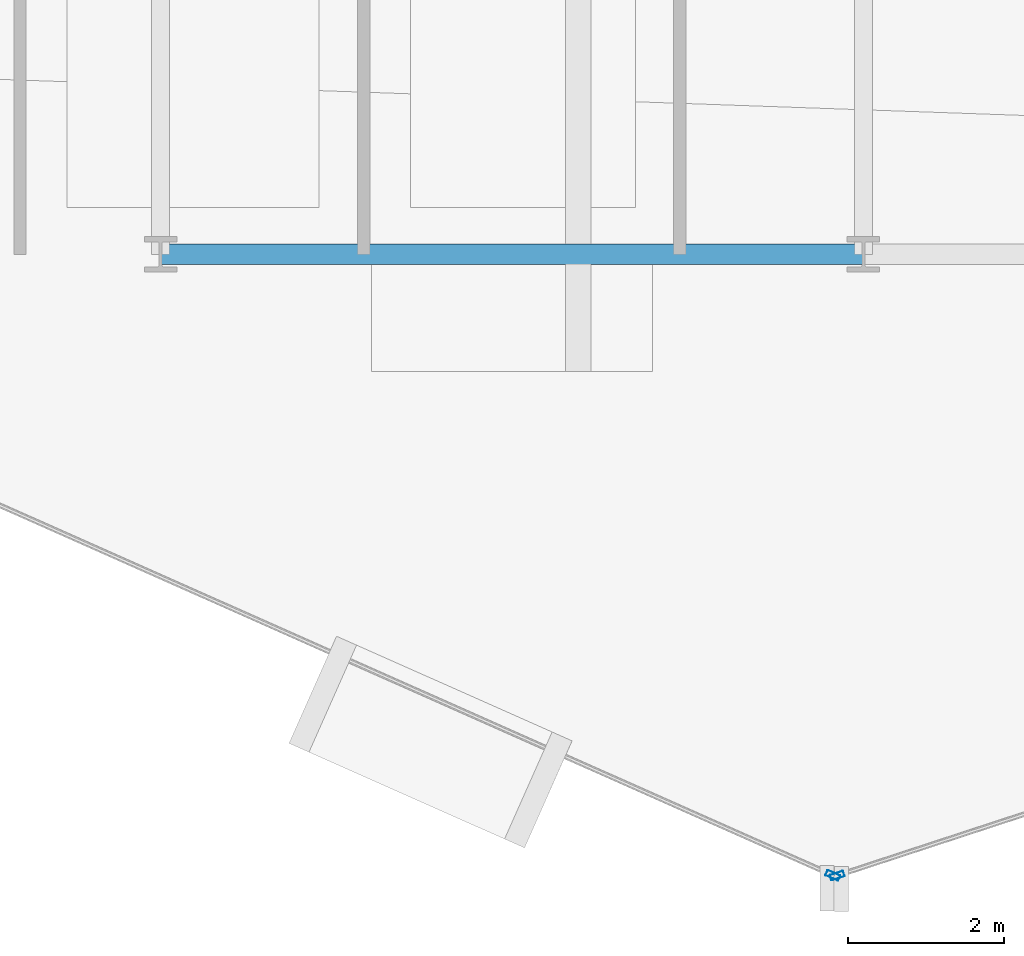
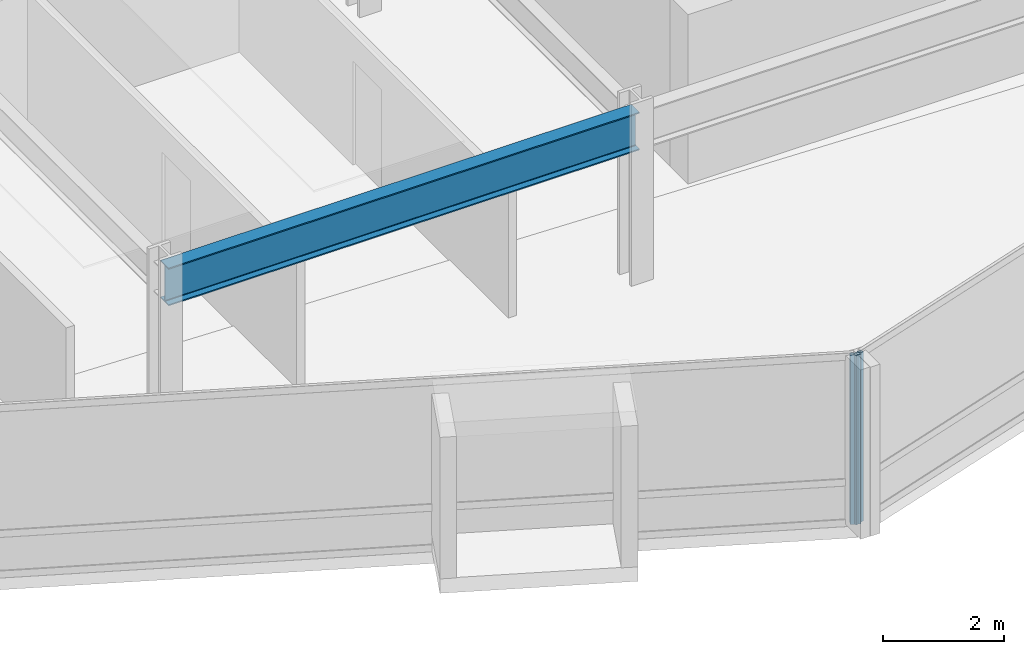
# One storey, part 4 of 29: 2 members, 1 beam, 2 elements without a shape of their own.
"""IFC4 building model written with IfcOpenShell, lengths in metres."""

from ifc_helpers import new_model, si_unit, direction, frame, origin, origin_2d, place, context, subcontext, project, spatial, hollow_rectangle, i_section, extrude, material, layer, layer_set, material_profile, profile_set, type_object, element, aggregate, save


model = new_model("IFC4")

# Units and contexts
model_context = context("Model", 3, precision=1e-05, world=origin(), true_north=direction((0.0, 1.0)))
body_context = subcontext(model_context, "Body", "Model", "MODEL_VIEW")
ifc_project = project(units=[si_unit("LENGTHUNIT", "METRE"), si_unit("AREAUNIT", "SQUARE_METRE"), si_unit("VOLUMEUNIT", "CUBIC_METRE"), si_unit("PLANEANGLEUNIT", "RADIAN"), si_unit("MASSUNIT", "GRAM", prefix="KILO")], contexts=[model_context])

# Site, building, storey
site_placement = place(None, origin())
site = spatial("IfcSite", under=ifc_project, at=site_placement, CompositionType="ELEMENT")
building_placement = place(site_placement, origin())
building = spatial("IfcBuilding", under=site, at=building_placement, Name="Solvaryn Broadcast Tower", CompositionType="ELEMENT")
storey_placement = place(building_placement, frame((0.0, 0.0, 117.39990234375)))
storey = spatial("IfcBuildingStorey", under=building, at=storey_placement, Name="L28", CompositionType="ELEMENT", Elevation=117.39990234375)

# Beam
ifc_material_1 = material(Name="Steel ASTM A992 Grade 50", Category="steel")
ifc_material_profile_1 = material_profile(ifc_material_1, i_section(OverallWidth=0.26708984375, OverallDepth=0.76611328125, WebThickness=0.014892578125, FlangeThickness=0.023681640625, FilletRadius=0.01806640625, at=origin_2d()))
ifc_profile_set_1 = profile_set([ifc_material_profile_1], Name="Steel ASTM A992 Grade 50")
beam_type = type_object("IfcBeamType", Name="BM-SP2-W30X124", PredefinedType="USERDEFINED", material=ifc_profile_set_1)
beam_placement = place(storey_placement, frame((18.0, 9.0, 3.037109375), z_axis=(1.0, 0.0, 0.0), x_axis=(0.0, 1.0, 0.0)))
element("IfcBeam", 1, at=beam_placement, inside=storey, type_object=beam_type, Name="L28 Spandrel Beam X (18-27 @ Y=9)", ObjectType="SPANDREL", PredefinedType="USERDEFINED", context=body_context, shape_type="SweptSolid", body=[
    extrude(i_section(OverallWidth=0.26708984375, OverallDepth=0.76611328125, WebThickness=0.014892578125, FlangeThickness=0.023681640625, FilletRadius=0.01806640625, at=origin_2d()), origin(), (0.0, 0.0, 1.0), 9.0),
])

# Curtain wall, member
ifc_material_2 = material(Name="Aluminium and Terracotta Unitised Curtain Wall", Category="masonry")
ifc_layer = layer(ifc_material_2, 0.199951171875)
ifc_layer_set = layer_set([ifc_layer], Name="CW-SYS2-LOWMID")
curtain_wall_type = type_object("IfcCurtainWallType", Name="CW-SYS2-LOWMID", PredefinedType="NOTDEFINED", material=ifc_layer_set)
curtain_wall_1_placement = place(storey_placement, origin())
curtain_wall_1 = element("IfcCurtainWall", 2, at=curtain_wall_1_placement, inside=storey, type_object=curtain_wall_type, Name="L28 Curtain Wall DR3", PredefinedType="NOTDEFINED")
ifc_material_3 = material(Name="Anodised Aluminium 6063-T6", Category="aluminium")
ifc_material_profile_2 = material_profile(ifc_material_3, hollow_rectangle(XDim=0.074951171875, YDim=0.179931640625, WallThickness=0.00390625, InnerFilletRadius=0.00390625, OuterFilletRadius=0.008056640625, at=origin_2d()))
ifc_profile_set_2 = profile_set([ifc_material_profile_2], Name="Anodised Aluminium 6063-T6")
member_type = type_object("IfcMemberType", Name="CW-MUL-180", PredefinedType="MULLION", material=ifc_profile_set_2)
member_1_placement = place(storey_placement, frame((26.608642578125, 1.046142578125, 0.0), z_axis=(0.0, 0.0, 1.0), x_axis=(0.405918429309, 0.913909311008, 0.0)))
member_1 = element("IfcMember", 3, at=member_1_placement, type_object=member_type, Name="CWS2 mullion 2", PredefinedType="MULLION", context=body_context, shape_type="SweptSolid", body=[
    extrude(hollow_rectangle(XDim=0.074951171875, YDim=0.179931640625, WallThickness=0.00390625, InnerFilletRadius=0.00390625, OuterFilletRadius=0.008056640625, at=origin_2d()), origin(), (0.0, 0.0, 1.0), 3.420166015625),
])
aggregate(curtain_wall_1, [member_1])

curtain_wall_2_placement = place(storey_placement, origin())
curtain_wall_2 = element("IfcCurtainWall", 4, at=curtain_wall_2_placement, inside=storey, type_object=curtain_wall_type, Name="L28 Curtain Wall DR4", PredefinedType="NOTDEFINED")
member_2_placement = place(storey_placement, frame((26.66455078125, 1.04345703125, 0.0), z_axis=(0.0, 0.0, 1.0), x_axis=(-0.311646057547, 0.950198260794, 0.0)))
member_2 = element("IfcMember", 5, at=member_2_placement, type_object=member_type, Name="CWS2 mullion 1", PredefinedType="MULLION", context=body_context, shape_type="SweptSolid", body=[
    extrude(hollow_rectangle(XDim=0.074951171875, YDim=0.179931640625, WallThickness=0.00390625, InnerFilletRadius=0.00390625, OuterFilletRadius=0.008056640625, at=origin_2d()), origin(), (0.0, 0.0, 1.0), 3.420166015625),
])
aggregate(curtain_wall_2, [member_2])

save(model, "model.ifc")
